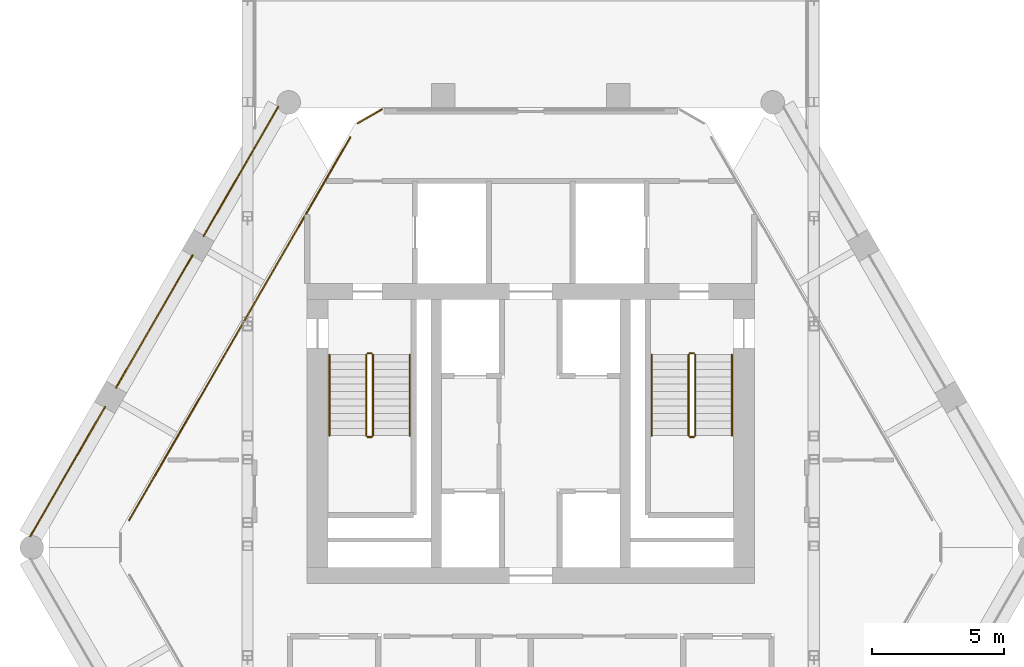
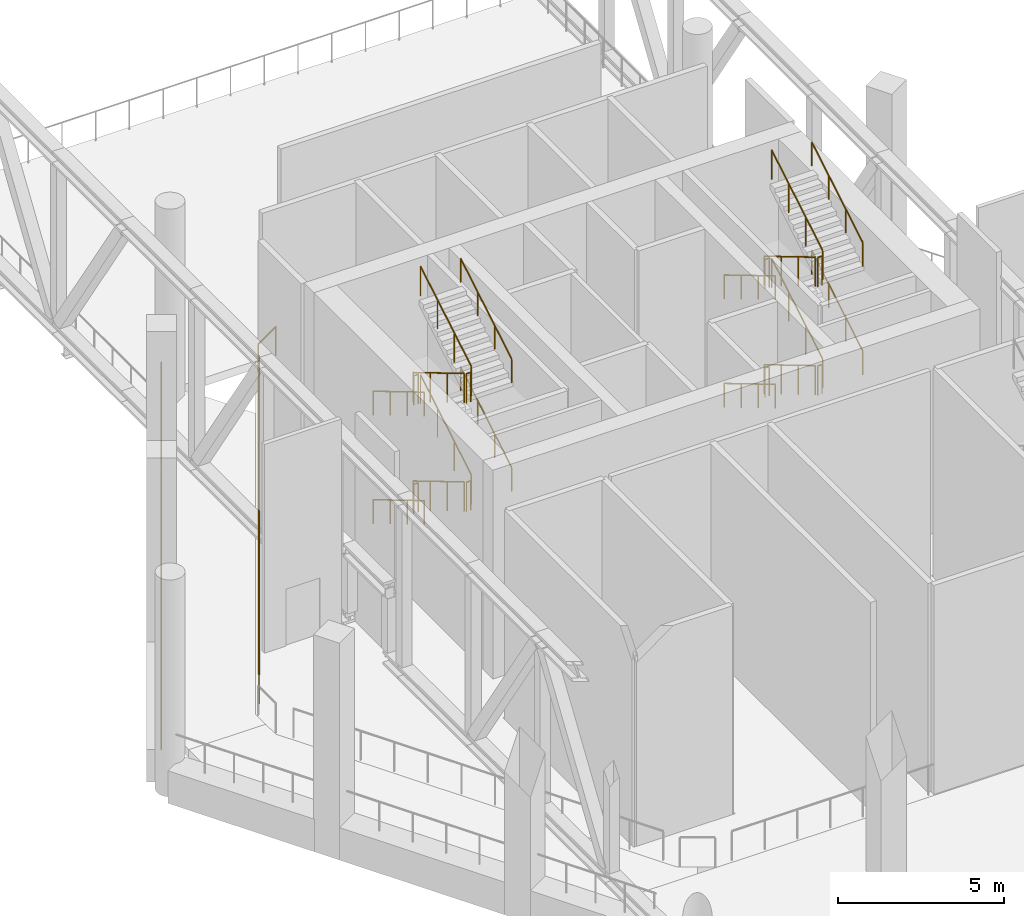
# One storey, part 13 of 14: 29 railings.
"""IFC4 building model written with IfcOpenShell, lengths in metres."""

from ifc_helpers import new_model, si_unit, direction, frame, origin, origin_2d, place, context, subcontext, project, spatial, circle, extrude, material, type_object, element, save


model = new_model("IFC4")

# Units and contexts
model_context = context("Model", 3, precision=1e-05, world=origin(), true_north=direction((0.0, 1.0)))
body_context = subcontext(model_context, "Body", "Model", "MODEL_VIEW")
ifc_project = project(units=[si_unit("LENGTHUNIT", "METRE"), si_unit("AREAUNIT", "SQUARE_METRE"), si_unit("VOLUMEUNIT", "CUBIC_METRE"), si_unit("PLANEANGLEUNIT", "RADIAN"), si_unit("MASSUNIT", "GRAM", prefix="KILO")], contexts=[model_context])

# Site, building, storey
site_placement = place(None, origin())
site = spatial("IfcSite", under=ifc_project, at=site_placement, CompositionType="ELEMENT")
building_placement = place(site_placement, origin())
building = spatial("IfcBuilding", under=site, at=building_placement, Name="Ostrander Bayou Hotel Tower", CompositionType="ELEMENT")
storey_placement = place(building_placement, frame((0.0, 0.0, 237.0)))
storey = spatial("IfcBuildingStorey", under=building, at=storey_placement, Name="L59", CompositionType="ELEMENT", Elevation=237.0)

# Railings
ifc_material_1 = material(Name="Stainless steel and clear glass", Category="steel")
railing_type_1 = type_object("IfcRailingType", Name="GR1 guard 1100 mm", PredefinedType="GUARDRAIL", material=ifc_material_1)
railing_1_placement = place(storey_placement, frame((-9.593994140625, 16.427978515625, 0.0)))
element("IfcRailing", 1, at=railing_1_placement, inside=storey, type_object=railing_type_1, Name="GR1 L59 NW-1 open band guard", PredefinedType="GUARDRAIL", context=body_context, shape_type="SweptSolid", body=[
    extrude(circle(Radius=0.02490234375, at=origin_2d()), frame((0.0, 0.0, 1.0751953125), z_axis=(-0.499994028088, -0.866028851642, 0.0), x_axis=(0.866028851642, -0.499994028088, 0.0)), (0.0, 0.0, 1.0), 5.6806640625),
    extrude(circle(Radius=0.02001953125, at=origin_2d()), origin(), (0.0, 0.0, 1.0), 1.050048828125),
    extrude(circle(Radius=0.02001953125, at=origin_2d()), frame((-0.568115234375, -0.98388671875, 0.0)), (0.0, 0.0, 1.0), 1.050048828125),
    extrude(circle(Radius=0.02001953125, at=origin_2d()), frame((-1.13623046875, -1.9677734375, 0.0)), (0.0, 0.0, 1.0), 1.050048828125),
    extrude(circle(Radius=0.02001953125, at=origin_2d()), frame((-1.7041015625, -2.951904296875, 0.0)), (0.0, 0.0, 1.0), 1.050048828125),
    extrude(circle(Radius=0.02001953125, at=origin_2d()), frame((-2.272216796875, -3.935791015625, 0.0)), (0.0, 0.0, 1.0), 1.050048828125),
    extrude(circle(Radius=0.02001953125, at=origin_2d()), frame((-2.84033203125, -4.919677734375, 0.0)), (0.0, 0.0, 1.0), 1.050048828125),
])
railing_2_placement = place(storey_placement, frame((-12.8544921875, 10.781005859375, 0.0)))
element("IfcRailing", 2, at=railing_2_placement, inside=storey, type_object=railing_type_1, Name="GR1 L59 NW-2 open band guard", PredefinedType="GUARDRAIL", context=body_context, shape_type="SweptSolid", body=[
    extrude(circle(Radius=0.02490234375, at=origin_2d()), frame((0.0, 0.0, 1.0751953125), z_axis=(-0.499997265274, -0.866026982673, 0.0), x_axis=(0.866026982673, -0.499997265274, 0.0)), (0.0, 0.0, 1.0), 5.81884765625),
    extrude(circle(Radius=0.02001953125, at=origin_2d()), origin(), (0.0, 0.0, 1.0), 1.050048828125),
    extrude(circle(Radius=0.02001953125, at=origin_2d()), frame((-0.581787109375, -1.0078125, 0.0)), (0.0, 0.0, 1.0), 1.050048828125),
    extrude(circle(Radius=0.02001953125, at=origin_2d()), frame((-1.163818359375, -2.015625, 0.0)), (0.0, 0.0, 1.0), 1.050048828125),
    extrude(circle(Radius=0.02001953125, at=origin_2d()), frame((-1.74560546875, -3.023681640625, 0.0)), (0.0, 0.0, 1.0), 1.050048828125),
    extrude(circle(Radius=0.02001953125, at=origin_2d()), frame((-2.32763671875, -4.031494140625, 0.0)), (0.0, 0.0, 1.0), 1.050048828125),
    extrude(circle(Radius=0.02001953125, at=origin_2d()), frame((-2.909423828125, -5.039306640625, 0.0)), (0.0, 0.0, 1.0), 1.050048828125),
])
railing_3_placement = place(storey_placement, frame((-16.183837890625, 5.014404296875, 0.0)))
element("IfcRailing", 3, at=railing_3_placement, inside=storey, type_object=railing_type_1, Name="GR1 L59 NW-3 open band guard", PredefinedType="GUARDRAIL", context=body_context, shape_type="SweptSolid", body=[
    extrude(circle(Radius=0.02490234375, at=origin_2d()), frame((0.0, 0.0, 1.0751953125), z_axis=(-0.499994028088, -0.866028851642, 0.0), x_axis=(0.866028851642, -0.499994028088, 0.0)), (0.0, 0.0, 1.0), 5.6806640625),
    extrude(circle(Radius=0.02001953125, at=origin_2d()), origin(), (0.0, 0.0, 1.0), 1.050048828125),
    extrude(circle(Radius=0.02001953125, at=origin_2d()), frame((-0.568115234375, -0.98388671875, 0.0)), (0.0, 0.0, 1.0), 1.050048828125),
    extrude(circle(Radius=0.02001953125, at=origin_2d()), frame((-1.13623046875, -1.9677734375, 0.0)), (0.0, 0.0, 1.0), 1.050048828125),
    extrude(circle(Radius=0.02001953125, at=origin_2d()), frame((-1.7041015625, -2.951904296875, 0.0)), (0.0, 0.0, 1.0), 1.050048828125),
    extrude(circle(Radius=0.02001953125, at=origin_2d()), frame((-2.272216796875, -3.935791015625, 0.0)), (0.0, 0.0, 1.0), 1.050048828125),
    extrude(circle(Radius=0.02001953125, at=origin_2d()), frame((-2.84033203125, -4.919677734375, 0.0)), (0.0, 0.0, 1.0), 1.050048828125),
])
railing_4_placement = place(storey_placement, frame((-5.6611328125, 16.324951171875, 0.0)))
element("IfcRailing", 4, at=railing_4_placement, inside=storey, type_object=railing_type_1, Name="GR1 L59 corner guard 1", PredefinedType="GUARDRAIL", context=body_context, shape_type="SweptSolid", body=[
    extrude(circle(Radius=0.02490234375, at=origin_2d()), frame((0.0, 0.0, 1.0751953125), z_axis=(-0.866048165231, -0.499960573946, 0.0), x_axis=(0.499960573946, -0.866048165231, 0.0)), (0.0, 0.0, 1.0), 1.06494140625),
    extrude(circle(Radius=0.02001953125, at=origin_2d()), origin(), (0.0, 0.0, 1.0), 1.050048828125),
    extrude(circle(Radius=0.02001953125, at=origin_2d()), frame((-0.92236328125, -0.532470703125, 0.0)), (0.0, 0.0, 1.0), 1.050048828125),
])
railing_5_placement = place(storey_placement, frame((-15.26171875, 0.71142578125, 0.0)))
element("IfcRailing", 5, at=railing_5_placement, inside=storey, type_object=railing_type_1, Name="GR1 L59 edge guard 6", PredefinedType="GUARDRAIL", context=body_context, shape_type="SweptSolid", body=[
    extrude(circle(Radius=0.02490234375, at=origin_2d()), frame((0.0, 0.0, 1.0751953125), z_axis=(0.500002543286, 0.866023935413, 0.0), x_axis=(-0.866023935413, 0.500002543286, 0.0)), (0.0, 0.0, 1.0), 16.80078125),
    extrude(circle(Radius=0.02001953125, at=origin_2d()), origin(), (0.0, 0.0, 1.0), 1.050048828125),
    extrude(circle(Radius=0.02001953125, at=origin_2d()), frame((0.56005859375, 0.969970703125, 0.0)), (0.0, 0.0, 1.0), 1.050048828125),
    extrude(circle(Radius=0.02001953125, at=origin_2d()), frame((1.1201171875, 1.93994140625, 0.0)), (0.0, 0.0, 1.0), 1.050048828125),
    extrude(circle(Radius=0.02001953125, at=origin_2d()), frame((1.68017578125, 2.909912109375, 0.0)), (0.0, 0.0, 1.0), 1.050048828125),
    extrude(circle(Radius=0.02001953125, at=origin_2d()), frame((2.239990234375, 3.8798828125, 0.0)), (0.0, 0.0, 1.0), 1.050048828125),
    extrude(circle(Radius=0.02001953125, at=origin_2d()), frame((2.800048828125, 4.849853515625, 0.0)), (0.0, 0.0, 1.0), 1.050048828125),
    extrude(circle(Radius=0.02001953125, at=origin_2d()), frame((3.360107421875, 5.81982421875, 0.0)), (0.0, 0.0, 1.0), 1.050048828125),
    extrude(circle(Radius=0.02001953125, at=origin_2d()), frame((3.920166015625, 6.789794921875, 0.0)), (0.0, 0.0, 1.0), 1.050048828125),
    extrude(circle(Radius=0.02001953125, at=origin_2d()), frame((4.480224609375, 7.760009765625, 0.0)), (0.0, 0.0, 1.0), 1.050048828125),
    extrude(circle(Radius=0.02001953125, at=origin_2d()), frame((5.040283203125, 8.72998046875, 0.0)), (0.0, 0.0, 1.0), 1.050048828125),
    extrude(circle(Radius=0.02001953125, at=origin_2d()), frame((5.600341796875, 9.699951171875, 0.0)), (0.0, 0.0, 1.0), 1.050048828125),
    extrude(circle(Radius=0.02001953125, at=origin_2d()), frame((6.160400390625, 10.669921875, 0.0)), (0.0, 0.0, 1.0), 1.050048828125),
    extrude(circle(Radius=0.02001953125, at=origin_2d()), frame((6.72021484375, 11.639892578125, 0.0)), (0.0, 0.0, 1.0), 1.050048828125),
    extrude(circle(Radius=0.02001953125, at=origin_2d()), frame((7.2802734375, 12.60986328125, 0.0)), (0.0, 0.0, 1.0), 1.050048828125),
    extrude(circle(Radius=0.02001953125, at=origin_2d()), frame((7.84033203125, 13.579833984375, 0.0)), (0.0, 0.0, 1.0), 1.050048828125),
    extrude(circle(Radius=0.02001953125, at=origin_2d()), frame((8.400390625, 14.5498046875, 0.0)), (0.0, 0.0, 1.0), 1.050048828125),
])
ifc_material_2 = material(Name="Steel ASTM A500 Gr C", Category="steel")
railing_type_2 = type_object("IfcRailingType", Name="GR1 stair guard 1100 mm steel", PredefinedType="GUARDRAIL", material=ifc_material_2)
railing_6_placement = place(storey_placement, frame((-6.25, 7.0, 0.166748046875)))
element("IfcRailing", 6, at=railing_6_placement, inside=storey, type_object=railing_type_2, Name="L59 STA stair guard 1", PredefinedType="GUARDRAIL", context=body_context, shape_type="SweptSolid", body=[
    extrude(circle(Radius=0.02392578125, at=origin_2d()), frame((0.0, 0.0, 1.076171875), z_axis=(0.0, -0.859308565015, 0.511457515432), x_axis=(1.0, 0.0, 0.0)), (0.0, 0.0, 1.0), 3.58447265625),
    extrude(circle(Radius=0.02099609375, at=origin_2d()), origin(), (0.0, 0.0, 1.0), 1.052001953125),
    extrude(circle(Radius=0.02099609375, at=origin_2d()), frame((0.0, -1.026611328125, 0.611083984375)), (0.0, 0.0, 1.0), 1.052001953125),
    extrude(circle(Radius=0.02099609375, at=origin_2d()), frame((0.0, -2.053466796875, 1.22216796875)), (0.0, 0.0, 1.0), 1.052001953125),
    extrude(circle(Radius=0.02099609375, at=origin_2d()), frame((0.0, -3.080078125, 1.833251953125)), (0.0, 0.0, 1.0), 1.052001953125),
])
railing_7_placement = place(storey_placement, frame((-6.199951171875, 3.8701171875, 2.0)))
element("IfcRailing", 7, at=railing_7_placement, inside=storey, type_object=railing_type_2, Name="L59 STA stair guard 2", PredefinedType="GUARDRAIL", context=body_context, shape_type="SweptSolid", body=[
    extrude(circle(Radius=0.02392578125, at=origin_2d()), frame((0.0, 0.0, 1.076171875), z_axis=(1.0, 0.0, 0.0), x_axis=(0.0, 1.0, 0.0)), (0.0, 0.0, 1.0), 0.14990234375),
    extrude(circle(Radius=0.02099609375, at=origin_2d()), origin(), (0.0, 0.0, 1.0), 1.052001953125),
    extrude(circle(Radius=0.02099609375, at=origin_2d()), frame((0.14990234375, 0.0, 0.0)), (0.0, 0.0, 1.0), 1.052001953125),
])
railing_8_placement = place(storey_placement, frame((-6.0, 3.919921875, 2.166748046875)))
element("IfcRailing", 8, at=railing_8_placement, inside=storey, type_object=railing_type_2, Name="L59 STA stair guard 3", PredefinedType="GUARDRAIL", context=body_context, shape_type="SweptSolid", body=[
    extrude(circle(Radius=0.02392578125, at=origin_2d()), frame((0.0, 0.0, 1.076171875), z_axis=(0.0, 0.859308565015, 0.511457515432), x_axis=(-1.0, 0.0, 0.0)), (0.0, 0.0, 1.0), 3.58447265625),
    extrude(circle(Radius=0.02099609375, at=origin_2d()), origin(), (0.0, 0.0, 1.0), 1.052001953125),
    extrude(circle(Radius=0.02099609375, at=origin_2d()), frame((0.0, 1.026611328125, 0.611083984375)), (0.0, 0.0, 1.0), 1.052001953125),
    extrude(circle(Radius=0.02099609375, at=origin_2d()), frame((0.0, 2.053466796875, 1.22216796875)), (0.0, 0.0, 1.0), 1.052001953125),
    extrude(circle(Radius=0.02099609375, at=origin_2d()), frame((0.0, 3.080078125, 1.833251953125)), (0.0, 0.0, 1.0), 1.052001953125),
])
railing_9_placement = place(storey_placement, frame((-6.199951171875, 7.050048828125, 4.0)))
element("IfcRailing", 9, at=railing_9_placement, inside=storey, type_object=railing_type_2, Name="L59 STA stair guard 4", PredefinedType="GUARDRAIL", context=body_context, shape_type="SweptSolid", body=[
    extrude(circle(Radius=0.02392578125, at=origin_2d()), frame((0.0, 0.0, 1.076171875), z_axis=(1.0, 0.0, 0.0), x_axis=(0.0, 1.0, 0.0)), (0.0, 0.0, 1.0), 0.14990234375),
    extrude(circle(Radius=0.02099609375, at=origin_2d()), origin(), (0.0, 0.0, 1.0), 1.052001953125),
    extrude(circle(Radius=0.02099609375, at=origin_2d()), frame((0.14990234375, 0.0, 0.0)), (0.0, 0.0, 1.0), 1.052001953125),
])
railing_10_placement = place(storey_placement, frame((-6.25, 7.0, 4.166748046875)))
element("IfcRailing", 10, at=railing_10_placement, inside=storey, type_object=railing_type_2, Name="L59 STA stair guard 5", PredefinedType="GUARDRAIL", context=body_context, shape_type="SweptSolid", body=[
    extrude(circle(Radius=0.02392578125, at=origin_2d()), frame((0.0, 0.0, 1.076171875), z_axis=(0.0, -0.859308565015, 0.511457515432), x_axis=(1.0, 0.0, 0.0)), (0.0, 0.0, 1.0), 3.58447265625),
    extrude(circle(Radius=0.02099609375, at=origin_2d()), origin(), (0.0, 0.0, 1.0), 1.052001953125),
    extrude(circle(Radius=0.02099609375, at=origin_2d()), frame((0.0, -1.026611328125, 0.611083984375)), (0.0, 0.0, 1.0), 1.052001953125),
    extrude(circle(Radius=0.02099609375, at=origin_2d()), frame((0.0, -2.053466796875, 1.22216796875)), (0.0, 0.0, 1.0), 1.052001953125),
    extrude(circle(Radius=0.02099609375, at=origin_2d()), frame((0.0, -3.080078125, 1.833251953125)), (0.0, 0.0, 1.0), 1.052001953125),
])
railing_11_placement = place(storey_placement, frame((-6.199951171875, 3.8701171875, 6.0)))
element("IfcRailing", 11, at=railing_11_placement, inside=storey, type_object=railing_type_2, Name="L59 STA stair guard 6", PredefinedType="GUARDRAIL", context=body_context, shape_type="SweptSolid", body=[
    extrude(circle(Radius=0.02392578125, at=origin_2d()), frame((0.0, 0.0, 1.076171875), z_axis=(1.0, 0.0, 0.0), x_axis=(0.0, 1.0, 0.0)), (0.0, 0.0, 1.0), 0.14990234375),
    extrude(circle(Radius=0.02099609375, at=origin_2d()), origin(), (0.0, 0.0, 1.0), 1.052001953125),
    extrude(circle(Radius=0.02099609375, at=origin_2d()), frame((0.14990234375, 0.0, 0.0)), (0.0, 0.0, 1.0), 1.052001953125),
])
railing_12_placement = place(storey_placement, frame((-6.0, 3.919921875, 6.166748046875)))
element("IfcRailing", 12, at=railing_12_placement, inside=storey, type_object=railing_type_2, Name="L59 STA stair guard 7", PredefinedType="GUARDRAIL", context=body_context, shape_type="SweptSolid", body=[
    extrude(circle(Radius=0.02392578125, at=origin_2d()), frame((0.0, 0.0, 1.076171875), z_axis=(0.0, 0.859308565015, 0.511457515432), x_axis=(-1.0, 0.0, 0.0)), (0.0, 0.0, 1.0), 3.58447265625),
    extrude(circle(Radius=0.02099609375, at=origin_2d()), origin(), (0.0, 0.0, 1.0), 1.052001953125),
    extrude(circle(Radius=0.02099609375, at=origin_2d()), frame((0.0, 1.026611328125, 0.611083984375)), (0.0, 0.0, 1.0), 1.052001953125),
    extrude(circle(Radius=0.02099609375, at=origin_2d()), frame((0.0, 2.053466796875, 1.22216796875)), (0.0, 0.0, 1.0), 1.052001953125),
    extrude(circle(Radius=0.02099609375, at=origin_2d()), frame((0.0, 3.080078125, 1.833251953125)), (0.0, 0.0, 1.0), 1.052001953125),
])
railing_13_placement = place(storey_placement, frame((-6.199951171875, 7.050048828125, 0.0)))
element("IfcRailing", 13, at=railing_13_placement, inside=storey, type_object=railing_type_2, Name="L59 STA stair guard 8", PredefinedType="GUARDRAIL", context=body_context, shape_type="SweptSolid", body=[
    extrude(circle(Radius=0.02392578125, at=origin_2d()), frame((0.0, 0.0, 1.076171875), z_axis=(1.0, 0.0, 0.0), x_axis=(0.0, 1.0, 0.0)), (0.0, 0.0, 1.0), 0.14990234375),
    extrude(circle(Radius=0.02099609375, at=origin_2d()), origin(), (0.0, 0.0, 1.0), 1.052001953125),
    extrude(circle(Radius=0.02099609375, at=origin_2d()), frame((0.14990234375, 0.0, 0.0)), (0.0, 0.0, 1.0), 1.052001953125),
])
railing_14_placement = place(storey_placement, frame((6.0, 7.0, 0.166748046875)))
element("IfcRailing", 14, at=railing_14_placement, inside=storey, type_object=railing_type_2, Name="L59 STB stair guard 1", PredefinedType="GUARDRAIL", context=body_context, shape_type="SweptSolid", body=[
    extrude(circle(Radius=0.02392578125, at=origin_2d()), frame((0.0, 0.0, 1.076171875), z_axis=(0.0, -0.859308565015, 0.511457515432), x_axis=(1.0, 0.0, 0.0)), (0.0, 0.0, 1.0), 3.58447265625),
    extrude(circle(Radius=0.02099609375, at=origin_2d()), origin(), (0.0, 0.0, 1.0), 1.052001953125),
    extrude(circle(Radius=0.02099609375, at=origin_2d()), frame((0.0, -1.026611328125, 0.611083984375)), (0.0, 0.0, 1.0), 1.052001953125),
    extrude(circle(Radius=0.02099609375, at=origin_2d()), frame((0.0, -2.053466796875, 1.22216796875)), (0.0, 0.0, 1.0), 1.052001953125),
    extrude(circle(Radius=0.02099609375, at=origin_2d()), frame((0.0, -3.080078125, 1.833251953125)), (0.0, 0.0, 1.0), 1.052001953125),
])
railing_15_placement = place(storey_placement, frame((6.050048828125, 3.8701171875, 2.0)))
element("IfcRailing", 15, at=railing_15_placement, inside=storey, type_object=railing_type_2, Name="L59 STB stair guard 2", PredefinedType="GUARDRAIL", context=body_context, shape_type="SweptSolid", body=[
    extrude(circle(Radius=0.02392578125, at=origin_2d()), frame((0.0, 0.0, 1.076171875), z_axis=(1.0, 0.0, 0.0), x_axis=(0.0, 1.0, 0.0)), (0.0, 0.0, 1.0), 0.14990234375),
    extrude(circle(Radius=0.02099609375, at=origin_2d()), origin(), (0.0, 0.0, 1.0), 1.052001953125),
    extrude(circle(Radius=0.02099609375, at=origin_2d()), frame((0.14990234375, 0.0, 0.0)), (0.0, 0.0, 1.0), 1.052001953125),
])
railing_16_placement = place(storey_placement, frame((6.25, 3.919921875, 2.166748046875)))
element("IfcRailing", 16, at=railing_16_placement, inside=storey, type_object=railing_type_2, Name="L59 STB stair guard 3", PredefinedType="GUARDRAIL", context=body_context, shape_type="SweptSolid", body=[
    extrude(circle(Radius=0.02392578125, at=origin_2d()), frame((0.0, 0.0, 1.076171875), z_axis=(0.0, 0.859308565015, 0.511457515432), x_axis=(-1.0, 0.0, 0.0)), (0.0, 0.0, 1.0), 3.58447265625),
    extrude(circle(Radius=0.02099609375, at=origin_2d()), origin(), (0.0, 0.0, 1.0), 1.052001953125),
    extrude(circle(Radius=0.02099609375, at=origin_2d()), frame((0.0, 1.026611328125, 0.611083984375)), (0.0, 0.0, 1.0), 1.052001953125),
    extrude(circle(Radius=0.02099609375, at=origin_2d()), frame((0.0, 2.053466796875, 1.22216796875)), (0.0, 0.0, 1.0), 1.052001953125),
    extrude(circle(Radius=0.02099609375, at=origin_2d()), frame((0.0, 3.080078125, 1.833251953125)), (0.0, 0.0, 1.0), 1.052001953125),
])
railing_17_placement = place(storey_placement, frame((6.050048828125, 7.050048828125, 4.0)))
element("IfcRailing", 17, at=railing_17_placement, inside=storey, type_object=railing_type_2, Name="L59 STB stair guard 4", PredefinedType="GUARDRAIL", context=body_context, shape_type="SweptSolid", body=[
    extrude(circle(Radius=0.02392578125, at=origin_2d()), frame((0.0, 0.0, 1.076171875), z_axis=(1.0, 0.0, 0.0), x_axis=(0.0, 1.0, 0.0)), (0.0, 0.0, 1.0), 0.14990234375),
    extrude(circle(Radius=0.02099609375, at=origin_2d()), origin(), (0.0, 0.0, 1.0), 1.052001953125),
    extrude(circle(Radius=0.02099609375, at=origin_2d()), frame((0.14990234375, 0.0, 0.0)), (0.0, 0.0, 1.0), 1.052001953125),
])
railing_18_placement = place(storey_placement, frame((6.0, 7.0, 4.166748046875)))
element("IfcRailing", 18, at=railing_18_placement, inside=storey, type_object=railing_type_2, Name="L59 STB stair guard 5", PredefinedType="GUARDRAIL", context=body_context, shape_type="SweptSolid", body=[
    extrude(circle(Radius=0.02392578125, at=origin_2d()), frame((0.0, 0.0, 1.076171875), z_axis=(0.0, -0.859308565015, 0.511457515432), x_axis=(1.0, 0.0, 0.0)), (0.0, 0.0, 1.0), 3.58447265625),
    extrude(circle(Radius=0.02099609375, at=origin_2d()), origin(), (0.0, 0.0, 1.0), 1.052001953125),
    extrude(circle(Radius=0.02099609375, at=origin_2d()), frame((0.0, -1.026611328125, 0.611083984375)), (0.0, 0.0, 1.0), 1.052001953125),
    extrude(circle(Radius=0.02099609375, at=origin_2d()), frame((0.0, -2.053466796875, 1.22216796875)), (0.0, 0.0, 1.0), 1.052001953125),
    extrude(circle(Radius=0.02099609375, at=origin_2d()), frame((0.0, -3.080078125, 1.833251953125)), (0.0, 0.0, 1.0), 1.052001953125),
])
railing_19_placement = place(storey_placement, frame((6.050048828125, 3.8701171875, 6.0)))
element("IfcRailing", 19, at=railing_19_placement, inside=storey, type_object=railing_type_2, Name="L59 STB stair guard 6", PredefinedType="GUARDRAIL", context=body_context, shape_type="SweptSolid", body=[
    extrude(circle(Radius=0.02392578125, at=origin_2d()), frame((0.0, 0.0, 1.076171875), z_axis=(1.0, 0.0, 0.0), x_axis=(0.0, 1.0, 0.0)), (0.0, 0.0, 1.0), 0.14990234375),
    extrude(circle(Radius=0.02099609375, at=origin_2d()), origin(), (0.0, 0.0, 1.0), 1.052001953125),
    extrude(circle(Radius=0.02099609375, at=origin_2d()), frame((0.14990234375, 0.0, 0.0)), (0.0, 0.0, 1.0), 1.052001953125),
])
railing_20_placement = place(storey_placement, frame((6.25, 3.919921875, 6.166748046875)))
element("IfcRailing", 20, at=railing_20_placement, inside=storey, type_object=railing_type_2, Name="L59 STB stair guard 7", PredefinedType="GUARDRAIL", context=body_context, shape_type="SweptSolid", body=[
    extrude(circle(Radius=0.02392578125, at=origin_2d()), frame((0.0, 0.0, 1.076171875), z_axis=(0.0, 0.859308565015, 0.511457515432), x_axis=(-1.0, 0.0, 0.0)), (0.0, 0.0, 1.0), 3.58447265625),
    extrude(circle(Radius=0.02099609375, at=origin_2d()), origin(), (0.0, 0.0, 1.0), 1.052001953125),
    extrude(circle(Radius=0.02099609375, at=origin_2d()), frame((0.0, 1.026611328125, 0.611083984375)), (0.0, 0.0, 1.0), 1.052001953125),
    extrude(circle(Radius=0.02099609375, at=origin_2d()), frame((0.0, 2.053466796875, 1.22216796875)), (0.0, 0.0, 1.0), 1.052001953125),
    extrude(circle(Radius=0.02099609375, at=origin_2d()), frame((0.0, 3.080078125, 1.833251953125)), (0.0, 0.0, 1.0), 1.052001953125),
])
railing_21_placement = place(storey_placement, frame((6.050048828125, 7.050048828125, 0.0)))
element("IfcRailing", 21, at=railing_21_placement, inside=storey, type_object=railing_type_2, Name="L59 STB stair guard 8", PredefinedType="GUARDRAIL", context=body_context, shape_type="SweptSolid", body=[
    extrude(circle(Radius=0.02392578125, at=origin_2d()), frame((0.0, 0.0, 1.076171875), z_axis=(1.0, 0.0, 0.0), x_axis=(0.0, 1.0, 0.0)), (0.0, 0.0, 1.0), 0.14990234375),
    extrude(circle(Radius=0.02099609375, at=origin_2d()), origin(), (0.0, 0.0, 1.0), 1.052001953125),
    extrude(circle(Radius=0.02099609375, at=origin_2d()), frame((0.14990234375, 0.0, 0.0)), (0.0, 0.0, 1.0), 1.052001953125),
])
ifc_material_3 = material(Name="Steel ASTM A500 Gr C", Category="steel")
railing_type_3 = type_object("IfcRailingType", Name="HR1 stair handrail 900 mm steel", PredefinedType="HANDRAIL", material=ifc_material_3)
railing_22_placement = place(storey_placement, frame((-7.64990234375, 7.0, 0.166748046875)))
element("IfcRailing", 22, at=railing_22_placement, inside=storey, type_object=railing_type_3, Name="L59 STA stair handrail 1", PredefinedType="HANDRAIL", context=body_context, shape_type="SweptSolid", body=[
    extrude(circle(Radius=0.02392578125, at=origin_2d()), frame((0.0, 0.0, 0.8759765625), z_axis=(0.0, -0.859308565015, 0.511457515432), x_axis=(1.0, 0.0, 0.0)), (0.0, 0.0, 1.0), 3.58447265625),
    extrude(circle(Radius=0.02099609375, at=origin_2d()), origin(), (0.0, 0.0, 1.0), 0.851806640625),
    extrude(circle(Radius=0.02099609375, at=origin_2d()), frame((0.0, -1.026611328125, 0.611083984375)), (0.0, 0.0, 1.0), 0.851806640625),
    extrude(circle(Radius=0.02099609375, at=origin_2d()), frame((0.0, -2.053466796875, 1.22216796875)), (0.0, 0.0, 1.0), 0.851806640625),
    extrude(circle(Radius=0.02099609375, at=origin_2d()), frame((0.0, -3.080078125, 1.833251953125)), (0.0, 0.0, 1.0), 0.851806640625),
])
railing_23_placement = place(storey_placement, frame((-4.60009765625, 3.919921875, 2.166748046875)))
element("IfcRailing", 23, at=railing_23_placement, inside=storey, type_object=railing_type_3, Name="L59 STA stair handrail 2", PredefinedType="HANDRAIL", context=body_context, shape_type="SweptSolid", body=[
    extrude(circle(Radius=0.02392578125, at=origin_2d()), frame((0.0, 0.0, 0.8759765625), z_axis=(0.0, 0.859308565015, 0.511457515432), x_axis=(-1.0, 0.0, 0.0)), (0.0, 0.0, 1.0), 3.58447265625),
    extrude(circle(Radius=0.02099609375, at=origin_2d()), origin(), (0.0, 0.0, 1.0), 0.851806640625),
    extrude(circle(Radius=0.02099609375, at=origin_2d()), frame((0.0, 1.026611328125, 0.611083984375)), (0.0, 0.0, 1.0), 0.851806640625),
    extrude(circle(Radius=0.02099609375, at=origin_2d()), frame((0.0, 2.053466796875, 1.22216796875)), (0.0, 0.0, 1.0), 0.851806640625),
    extrude(circle(Radius=0.02099609375, at=origin_2d()), frame((0.0, 3.080078125, 1.833251953125)), (0.0, 0.0, 1.0), 0.851806640625),
])
railing_24_placement = place(storey_placement, frame((-7.64990234375, 7.0, 4.166748046875)))
element("IfcRailing", 24, at=railing_24_placement, inside=storey, type_object=railing_type_3, Name="L59 STA stair handrail 3", PredefinedType="HANDRAIL", context=body_context, shape_type="SweptSolid", body=[
    extrude(circle(Radius=0.02392578125, at=origin_2d()), frame((0.0, 0.0, 0.8759765625), z_axis=(0.0, -0.859308565015, 0.511457515432), x_axis=(1.0, 0.0, 0.0)), (0.0, 0.0, 1.0), 3.58447265625),
    extrude(circle(Radius=0.02099609375, at=origin_2d()), origin(), (0.0, 0.0, 1.0), 0.851806640625),
    extrude(circle(Radius=0.02099609375, at=origin_2d()), frame((0.0, -1.026611328125, 0.611083984375)), (0.0, 0.0, 1.0), 0.851806640625),
    extrude(circle(Radius=0.02099609375, at=origin_2d()), frame((0.0, -2.053466796875, 1.22216796875)), (0.0, 0.0, 1.0), 0.851806640625),
    extrude(circle(Radius=0.02099609375, at=origin_2d()), frame((0.0, -3.080078125, 1.833251953125)), (0.0, 0.0, 1.0), 0.851806640625),
])
railing_25_placement = place(storey_placement, frame((-4.60009765625, 3.919921875, 6.166748046875)))
element("IfcRailing", 25, at=railing_25_placement, inside=storey, type_object=railing_type_3, Name="L59 STA stair handrail 4", PredefinedType="HANDRAIL", context=body_context, shape_type="SweptSolid", body=[
    extrude(circle(Radius=0.02392578125, at=origin_2d()), frame((0.0, 0.0, 0.8759765625), z_axis=(0.0, 0.859308565015, 0.511457515432), x_axis=(-1.0, 0.0, 0.0)), (0.0, 0.0, 1.0), 3.58447265625),
    extrude(circle(Radius=0.02099609375, at=origin_2d()), origin(), (0.0, 0.0, 1.0), 0.851806640625),
    extrude(circle(Radius=0.02099609375, at=origin_2d()), frame((0.0, 1.026611328125, 0.611083984375)), (0.0, 0.0, 1.0), 0.851806640625),
    extrude(circle(Radius=0.02099609375, at=origin_2d()), frame((0.0, 2.053466796875, 1.22216796875)), (0.0, 0.0, 1.0), 0.851806640625),
    extrude(circle(Radius=0.02099609375, at=origin_2d()), frame((0.0, 3.080078125, 1.833251953125)), (0.0, 0.0, 1.0), 0.851806640625),
])
railing_26_placement = place(storey_placement, frame((4.60009765625, 7.0, 0.166748046875)))
element("IfcRailing", 26, at=railing_26_placement, inside=storey, type_object=railing_type_3, Name="L59 STB stair handrail 1", PredefinedType="HANDRAIL", context=body_context, shape_type="SweptSolid", body=[
    extrude(circle(Radius=0.02392578125, at=origin_2d()), frame((0.0, 0.0, 0.8759765625), z_axis=(0.0, -0.859308565015, 0.511457515432), x_axis=(1.0, 0.0, 0.0)), (0.0, 0.0, 1.0), 3.58447265625),
    extrude(circle(Radius=0.02099609375, at=origin_2d()), origin(), (0.0, 0.0, 1.0), 0.851806640625),
    extrude(circle(Radius=0.02099609375, at=origin_2d()), frame((0.0, -1.026611328125, 0.611083984375)), (0.0, 0.0, 1.0), 0.851806640625),
    extrude(circle(Radius=0.02099609375, at=origin_2d()), frame((0.0, -2.053466796875, 1.22216796875)), (0.0, 0.0, 1.0), 0.851806640625),
    extrude(circle(Radius=0.02099609375, at=origin_2d()), frame((0.0, -3.080078125, 1.833251953125)), (0.0, 0.0, 1.0), 0.851806640625),
])
railing_27_placement = place(storey_placement, frame((7.64990234375, 3.919921875, 2.166748046875)))
element("IfcRailing", 27, at=railing_27_placement, inside=storey, type_object=railing_type_3, Name="L59 STB stair handrail 2", PredefinedType="HANDRAIL", context=body_context, shape_type="SweptSolid", body=[
    extrude(circle(Radius=0.02392578125, at=origin_2d()), frame((0.0, 0.0, 0.8759765625), z_axis=(0.0, 0.859308565015, 0.511457515432), x_axis=(-1.0, 0.0, 0.0)), (0.0, 0.0, 1.0), 3.58447265625),
    extrude(circle(Radius=0.02099609375, at=origin_2d()), origin(), (0.0, 0.0, 1.0), 0.851806640625),
    extrude(circle(Radius=0.02099609375, at=origin_2d()), frame((0.0, 1.026611328125, 0.611083984375)), (0.0, 0.0, 1.0), 0.851806640625),
    extrude(circle(Radius=0.02099609375, at=origin_2d()), frame((0.0, 2.053466796875, 1.22216796875)), (0.0, 0.0, 1.0), 0.851806640625),
    extrude(circle(Radius=0.02099609375, at=origin_2d()), frame((0.0, 3.080078125, 1.833251953125)), (0.0, 0.0, 1.0), 0.851806640625),
])
railing_28_placement = place(storey_placement, frame((4.60009765625, 7.0, 4.166748046875)))
element("IfcRailing", 28, at=railing_28_placement, inside=storey, type_object=railing_type_3, Name="L59 STB stair handrail 3", PredefinedType="HANDRAIL", context=body_context, shape_type="SweptSolid", body=[
    extrude(circle(Radius=0.02392578125, at=origin_2d()), frame((0.0, 0.0, 0.8759765625), z_axis=(0.0, -0.859308565015, 0.511457515432), x_axis=(1.0, 0.0, 0.0)), (0.0, 0.0, 1.0), 3.58447265625),
    extrude(circle(Radius=0.02099609375, at=origin_2d()), origin(), (0.0, 0.0, 1.0), 0.851806640625),
    extrude(circle(Radius=0.02099609375, at=origin_2d()), frame((0.0, -1.026611328125, 0.611083984375)), (0.0, 0.0, 1.0), 0.851806640625),
    extrude(circle(Radius=0.02099609375, at=origin_2d()), frame((0.0, -2.053466796875, 1.22216796875)), (0.0, 0.0, 1.0), 0.851806640625),
    extrude(circle(Radius=0.02099609375, at=origin_2d()), frame((0.0, -3.080078125, 1.833251953125)), (0.0, 0.0, 1.0), 0.851806640625),
])
railing_29_placement = place(storey_placement, frame((7.64990234375, 3.919921875, 6.166748046875)))
element("IfcRailing", 29, at=railing_29_placement, inside=storey, type_object=railing_type_3, Name="L59 STB stair handrail 4", PredefinedType="HANDRAIL", context=body_context, shape_type="SweptSolid", body=[
    extrude(circle(Radius=0.02392578125, at=origin_2d()), frame((0.0, 0.0, 0.8759765625), z_axis=(0.0, 0.859308565015, 0.511457515432), x_axis=(-1.0, 0.0, 0.0)), (0.0, 0.0, 1.0), 3.58447265625),
    extrude(circle(Radius=0.02099609375, at=origin_2d()), origin(), (0.0, 0.0, 1.0), 0.851806640625),
    extrude(circle(Radius=0.02099609375, at=origin_2d()), frame((0.0, 1.026611328125, 0.611083984375)), (0.0, 0.0, 1.0), 0.851806640625),
    extrude(circle(Radius=0.02099609375, at=origin_2d()), frame((0.0, 2.053466796875, 1.22216796875)), (0.0, 0.0, 1.0), 0.851806640625),
    extrude(circle(Radius=0.02099609375, at=origin_2d()), frame((0.0, 3.080078125, 1.833251953125)), (0.0, 0.0, 1.0), 0.851806640625),
])

save(model, "model.ifc")
